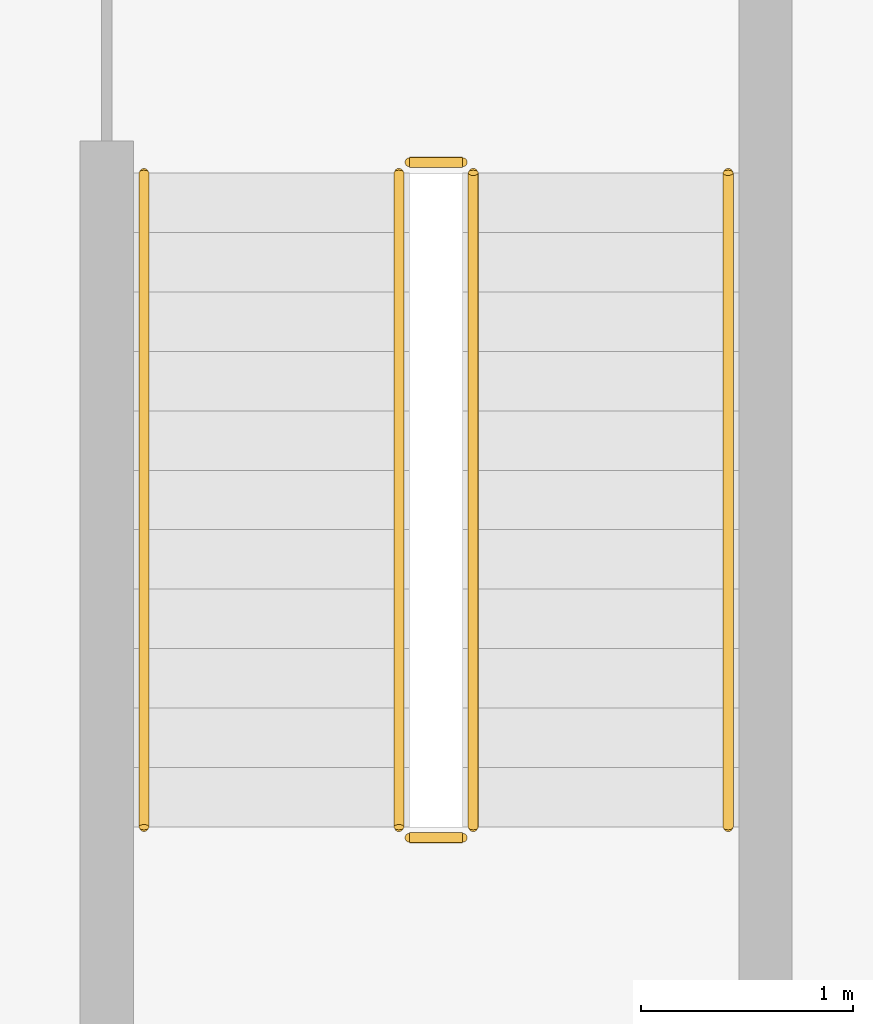
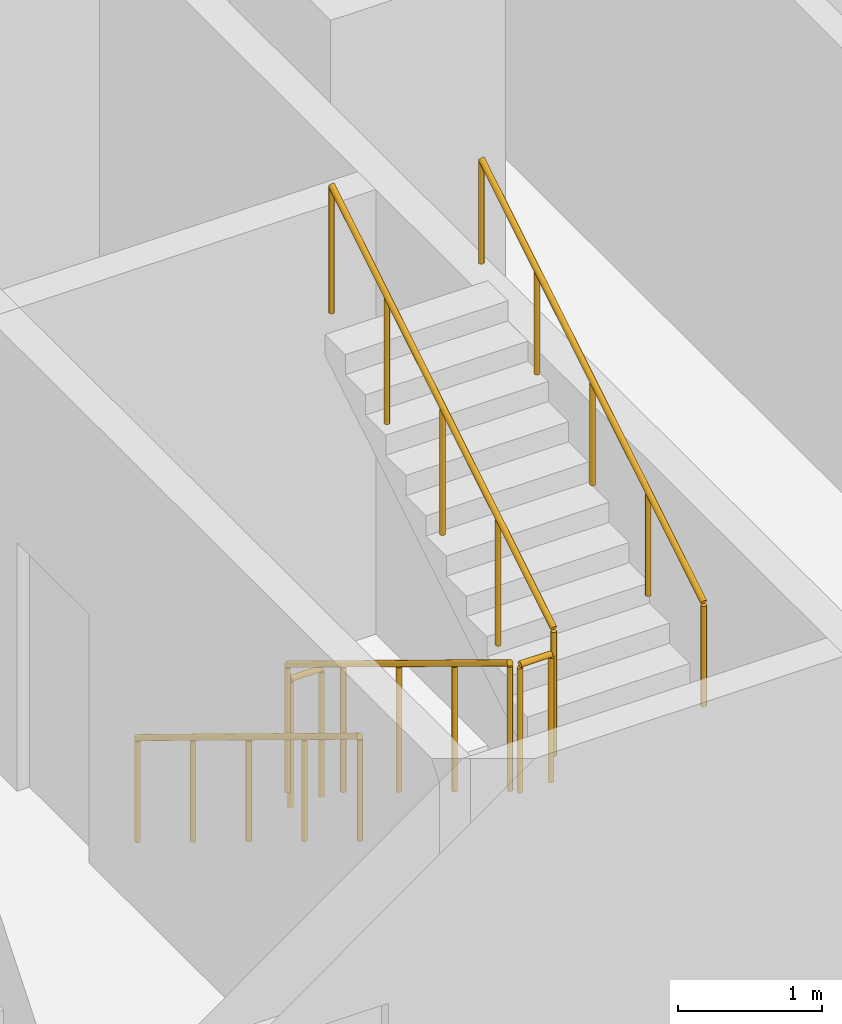
# One storey, part 24 of 29: 6 railings.
"""IFC4 building model written with IfcOpenShell, lengths in metres."""

from ifc_helpers import new_model, si_unit, direction, frame, origin, origin_2d, place, context, subcontext, project, spatial, circle, extrude, material, type_object, element, save


model = new_model("IFC4")

# Units and contexts
model_context = context("Model", 3, precision=1e-05, world=origin(), true_north=direction((0.0, 1.0)))
body_context = subcontext(model_context, "Body", "Model", "MODEL_VIEW")
ifc_project = project(units=[si_unit("LENGTHUNIT", "METRE"), si_unit("AREAUNIT", "SQUARE_METRE"), si_unit("VOLUMEUNIT", "CUBIC_METRE"), si_unit("PLANEANGLEUNIT", "RADIAN"), si_unit("MASSUNIT", "GRAM", prefix="KILO")], contexts=[model_context])

# Site, building, storey
site_placement = place(None, origin())
site = spatial("IfcSite", under=ifc_project, at=site_placement, CompositionType="ELEMENT")
building_placement = place(site_placement, origin())
building = spatial("IfcBuilding", under=site, at=building_placement, Name="Mahtab Terrace Research Tower", CompositionType="ELEMENT")
storey_placement = place(building_placement, frame((0.0, 0.0, 93.0)))
storey = spatial("IfcBuildingStorey", under=building, at=storey_placement, Name="L21", CompositionType="ELEMENT", Elevation=93.0)

# Railings
ifc_material = material(Name="Stainless steel AISI 304", Category="steel")
railing_type_1 = type_object("IfcRailingType", Name="Stair guard 1100", PredefinedType="GUARDRAIL", material=ifc_material)
railing_1_placement = place(storey_placement, frame((2.949951171875, -4.175048828125, 0.1708984375)))
element("IfcRailing", 1, at=railing_1_placement, inside=storey, type_object=railing_type_1, Name="L21 ST2 stair guard 1", PredefinedType="GUARDRAIL", context=body_context, shape_type="SweptSolid", body=[
    extrude(circle(Radius=0.02392578125, at=origin_2d()), frame((0.0, 0.0, 1.076171875), z_axis=(0.0, -0.853647949592, 0.520850437417), x_axis=(1.0, 0.0, 0.0)), (0.0, 0.0, 1.0), 3.60791015625),
    extrude(circle(Radius=0.02099609375, at=origin_2d()), origin(), (0.0, 0.0, 1.0), 1.052001953125),
    extrude(circle(Radius=0.02099609375, at=origin_2d()), frame((0.0, -0.77001953125, 0.4697265625)), (0.0, 0.0, 1.0), 1.052001953125),
    extrude(circle(Radius=0.02099609375, at=origin_2d()), frame((0.0, -1.5400390625, 0.939453125)), (0.0, 0.0, 1.0), 1.052001953125),
    extrude(circle(Radius=0.02099609375, at=origin_2d()), frame((0.0, -2.309814453125, 1.409423828125)), (0.0, 0.0, 1.0), 1.052001953125),
    extrude(circle(Radius=0.02099609375, at=origin_2d()), frame((0.0, -3.079833984375, 1.879150390625)), (0.0, 0.0, 1.0), 1.052001953125),
])
railing_2_placement = place(storey_placement, frame((3.0, -7.304931640625, 2.050048828125)))
element("IfcRailing", 2, at=railing_2_placement, inside=storey, type_object=railing_type_1, Name="L21 ST2 stair guard 2", PredefinedType="GUARDRAIL", context=body_context, shape_type="SweptSolid", body=[
    extrude(circle(Radius=0.02392578125, at=origin_2d()), frame((0.0, 0.0, 1.076171875), z_axis=(1.0, 0.0, 0.0), x_axis=(0.0, 1.0, 0.0)), (0.0, 0.0, 1.0), 0.25),
    extrude(circle(Radius=0.02099609375, at=origin_2d()), origin(), (0.0, 0.0, 1.0), 1.052001953125),
    extrude(circle(Radius=0.02099609375, at=origin_2d()), frame((0.25, 0.0, 0.0)), (0.0, 0.0, 1.0), 1.052001953125),
])
railing_3_placement = place(storey_placement, frame((3.300048828125, -7.2548828125, 2.220947265625)))
element("IfcRailing", 3, at=railing_3_placement, inside=storey, type_object=railing_type_1, Name="L21 ST2 stair guard 3", PredefinedType="GUARDRAIL", context=body_context, shape_type="SweptSolid", body=[
    extrude(circle(Radius=0.02392578125, at=origin_2d()), frame((0.0, 0.0, 1.076171875), z_axis=(0.0, 0.853647949592, 0.520850437417), x_axis=(-1.0, 0.0, 0.0)), (0.0, 0.0, 1.0), 3.60791015625),
    extrude(circle(Radius=0.02099609375, at=origin_2d()), origin(), (0.0, 0.0, 1.0), 1.052001953125),
    extrude(circle(Radius=0.02099609375, at=origin_2d()), frame((0.0, 0.77001953125, 0.4697265625)), (0.0, 0.0, 1.0), 1.052001953125),
    extrude(circle(Radius=0.02099609375, at=origin_2d()), frame((0.0, 1.5400390625, 0.939453125)), (0.0, 0.0, 1.0), 1.052001953125),
    extrude(circle(Radius=0.02099609375, at=origin_2d()), frame((0.0, 2.309814453125, 1.409423828125)), (0.0, 0.0, 1.0), 1.052001953125),
    extrude(circle(Radius=0.02099609375, at=origin_2d()), frame((0.0, 3.079833984375, 1.879150390625)), (0.0, 0.0, 1.0), 1.052001953125),
])
railing_4_placement = place(storey_placement, frame((3.0, -4.125, 0.0)))
element("IfcRailing", 4, at=railing_4_placement, inside=storey, type_object=railing_type_1, Name="L21 ST2 stair guard 4", PredefinedType="GUARDRAIL", context=body_context, shape_type="SweptSolid", body=[
    extrude(circle(Radius=0.02392578125, at=origin_2d()), frame((0.0, 0.0, 1.076171875), z_axis=(1.0, 0.0, 0.0), x_axis=(0.0, 1.0, 0.0)), (0.0, 0.0, 1.0), 0.25),
    extrude(circle(Radius=0.02099609375, at=origin_2d()), origin(), (0.0, 0.0, 1.0), 1.052001953125),
    extrude(circle(Radius=0.02099609375, at=origin_2d()), frame((0.25, 0.0, 0.0)), (0.0, 0.0, 1.0), 1.052001953125),
])
railing_type_2 = type_object("IfcRailingType", Name="Stair handrail 900", PredefinedType="HANDRAIL", material=ifc_material)
railing_5_placement = place(storey_placement, frame((1.75, -4.175048828125, 0.1708984375)))
element("IfcRailing", 5, at=railing_5_placement, inside=storey, type_object=railing_type_2, Name="L21 ST2 stair handrail 1", PredefinedType="HANDRAIL", context=body_context, shape_type="SweptSolid", body=[
    extrude(circle(Radius=0.02392578125, at=origin_2d()), frame((0.0, 0.0, 0.8759765625), z_axis=(0.0, -0.853647949592, 0.520850437417), x_axis=(1.0, 0.0, 0.0)), (0.0, 0.0, 1.0), 3.60791015625),
    extrude(circle(Radius=0.02099609375, at=origin_2d()), origin(), (0.0, 0.0, 1.0), 0.851806640625),
    extrude(circle(Radius=0.02099609375, at=origin_2d()), frame((0.0, -0.77001953125, 0.4697265625)), (0.0, 0.0, 1.0), 0.851806640625),
    extrude(circle(Radius=0.02099609375, at=origin_2d()), frame((0.0, -1.5400390625, 0.939453125)), (0.0, 0.0, 1.0), 0.851806640625),
    extrude(circle(Radius=0.02099609375, at=origin_2d()), frame((0.0, -2.309814453125, 1.409423828125)), (0.0, 0.0, 1.0), 0.851806640625),
    extrude(circle(Radius=0.02099609375, at=origin_2d()), frame((0.0, -3.079833984375, 1.879150390625)), (0.0, 0.0, 1.0), 0.851806640625),
])
railing_6_placement = place(storey_placement, frame((4.5, -7.2548828125, 2.220947265625)))
element("IfcRailing", 6, at=railing_6_placement, inside=storey, type_object=railing_type_2, Name="L21 ST2 stair handrail 2", PredefinedType="HANDRAIL", context=body_context, shape_type="SweptSolid", body=[
    extrude(circle(Radius=0.02392578125, at=origin_2d()), frame((0.0, 0.0, 0.8759765625), z_axis=(0.0, 0.853647949592, 0.520850437417), x_axis=(-1.0, 0.0, 0.0)), (0.0, 0.0, 1.0), 3.60791015625),
    extrude(circle(Radius=0.02099609375, at=origin_2d()), origin(), (0.0, 0.0, 1.0), 0.851806640625),
    extrude(circle(Radius=0.02099609375, at=origin_2d()), frame((0.0, 0.77001953125, 0.4697265625)), (0.0, 0.0, 1.0), 0.851806640625),
    extrude(circle(Radius=0.02099609375, at=origin_2d()), frame((0.0, 1.5400390625, 0.939453125)), (0.0, 0.0, 1.0), 0.851806640625),
    extrude(circle(Radius=0.02099609375, at=origin_2d()), frame((0.0, 2.309814453125, 1.409423828125)), (0.0, 0.0, 1.0), 0.851806640625),
    extrude(circle(Radius=0.02099609375, at=origin_2d()), frame((0.0, 3.079833984375, 1.879150390625)), (0.0, 0.0, 1.0), 0.851806640625),
])

save(model, "model.ifc")
